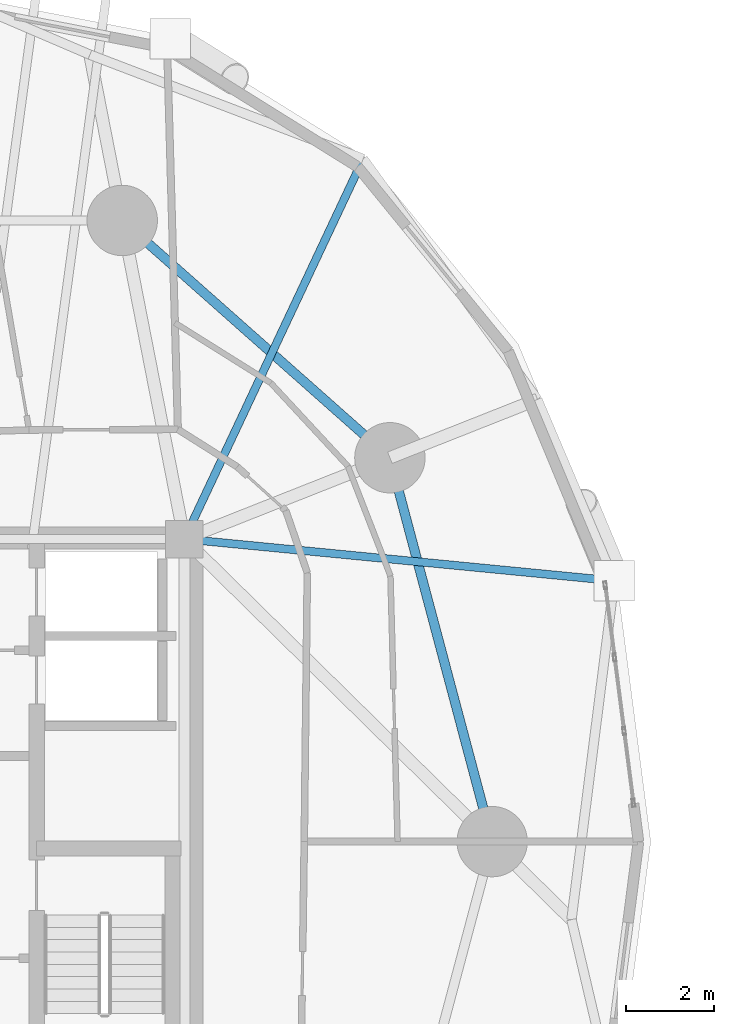
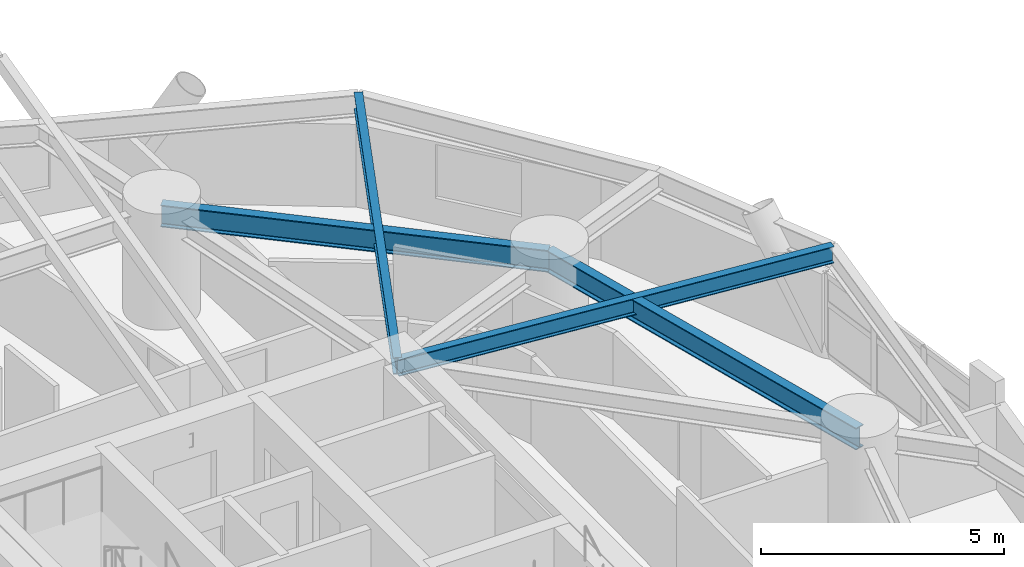
# One storey, part 3 of 20: 4 beams.
"""IFC4 building model written with IfcOpenShell, lengths in metres."""

from ifc_helpers import new_model, si_unit, direction, frame, origin, origin_2d, place, context, subcontext, project, spatial, i_section, extrude, material, material_profile, profile_set, type_object, element, save


model = new_model("IFC4")

# Units and contexts
model_context = context("Model", 3, precision=1e-05, world=origin(), true_north=direction((0.0, 1.0)))
body_context = subcontext(model_context, "Body", "Model", "MODEL_VIEW")
ifc_project = project(units=[si_unit("LENGTHUNIT", "METRE"), si_unit("AREAUNIT", "SQUARE_METRE"), si_unit("VOLUMEUNIT", "CUBIC_METRE"), si_unit("PLANEANGLEUNIT", "RADIAN"), si_unit("MASSUNIT", "GRAM", prefix="KILO")], contexts=[model_context])

# Site, building, storey
site_placement = place(None, origin())
site = spatial("IfcSite", under=ifc_project, at=site_placement, CompositionType="ELEMENT")
building_placement = place(site_placement, origin())
building = spatial("IfcBuilding", under=site, at=building_placement, Name="Cununo Teusaquillo Station Towers", CompositionType="ELEMENT")
storey_placement = place(building_placement, frame((0.0, 0.0, 39.4599609375)))
storey = spatial("IfcBuildingStorey", under=building, at=storey_placement, Name="L11", CompositionType="ELEMENT", Elevation=39.4599609375)

# Beams
ifc_material_1 = material(Name="Steel ASTM A572 Grade 50", Category="steel")
ifc_material_profile_1 = material_profile(ifc_material_1, i_section(OverallWidth=0.180908203125, OverallDepth=0.4169921875, WebThickness=0.010986328125, FlangeThickness=0.018310546875, FilletRadius=0.012939453125, at=origin_2d()), Name="W16X57")
ifc_profile_set_1 = profile_set([ifc_material_profile_1], Name="Steel ASTM A572 Grade 50")
beam_type_1 = type_object("IfcBeamType", Name="BM-JOIST-1", PredefinedType="JOIST", material=ifc_profile_set_1)
beam_1_placement = place(storey_placement, frame((21.675048828125, 31.3798828125, 2.441650390625), z_axis=(0.995310719276, -0.096729375545, 0.0), x_axis=(0.096729375545, 0.995310719276, 0.0)))
element("IfcBeam", 1, at=beam_1_placement, inside=storey, type_object=beam_type_1, Name="L11 Tower A Radial Spandrel Joist V01", PredefinedType="JOIST", context=body_context, shape_type="SweptSolid", body=[
    extrude(i_section(OverallWidth=0.180908203125, OverallDepth=0.4169921875, WebThickness=0.010986328125, FlangeThickness=0.018310546875, FilletRadius=0.012939453125, at=origin_2d()), origin(), (0.0, 0.0, 1.0), 9.82080078125),
])
beam_2_placement = place(storey_placement, frame((21.675048828125, 31.3798828125, 2.441650390625), z_axis=(0.425472080871, 0.904971551155, 0.0), x_axis=(-0.904971551155, 0.425472080871, 0.0)))
element("IfcBeam", 2, at=beam_2_placement, inside=storey, type_object=beam_type_1, Name="L11 Tower A Radial Spandrel Joist V03", PredefinedType="JOIST", context=body_context, shape_type="SweptSolid", body=[
    extrude(i_section(OverallWidth=0.180908203125, OverallDepth=0.4169921875, WebThickness=0.010986328125, FlangeThickness=0.018310546875, FilletRadius=0.012939453125, at=origin_2d()), origin(), (0.0, 0.0, 1.0), 9.552734375),
])
ifc_material_2 = material(Name="Steel ASTM A572 Grade 50", Category="steel")
ifc_material_profile_2 = material_profile(ifc_material_2, i_section(OverallWidth=0.214111328125, OverallDepth=0.549072265625, WebThickness=0.0146484375, FlangeThickness=0.023681640625, FilletRadius=0.014892578125, at=origin_2d()), Name="W21X93")
ifc_profile_set_2 = profile_set([ifc_material_profile_2], Name="Steel ASTM A572 Grade 50")
beam_type_2 = type_object("IfcBeamType", Name="BM-RING-Z1", PredefinedType="SPANDREL", material=ifc_profile_set_2)
beam_3_placement = place(storey_placement, frame((28.672119140625, 24.5, 2.37548828125), z_axis=(-0.257363196347, 0.966314744359, 0.0), x_axis=(-0.966314744359, -0.257363196347, 0.0)))
element("IfcBeam", 3, at=beam_3_placement, inside=storey, type_object=beam_type_2, Name="L11 Tower A Structural Column Ring Girder 01", PredefinedType="SPANDREL", context=body_context, shape_type="SweptSolid", body=[
    extrude(i_section(OverallWidth=0.214111328125, OverallDepth=0.549072265625, WebThickness=0.0146484375, FlangeThickness=0.023681640625, FilletRadius=0.014892578125, at=origin_2d()), origin(), (0.0, 0.0, 1.0), 9.03271484375),
])
beam_4_placement = place(storey_placement, frame((26.347412109375, 33.228515625, 2.37548828125), z_axis=(-0.74832120039, 0.66333655187, 0.0), x_axis=(-0.66333655187, -0.74832120039, 0.0)))
element("IfcBeam", 4, at=beam_4_placement, inside=storey, type_object=beam_type_2, Name="L11 Tower A Structural Column Ring Girder 02", PredefinedType="SPANDREL", context=body_context, shape_type="SweptSolid", body=[
    extrude(i_section(OverallWidth=0.214111328125, OverallDepth=0.549072265625, WebThickness=0.0146484375, FlangeThickness=0.023681640625, FilletRadius=0.014892578125, at=origin_2d()), origin(), (0.0, 0.0, 1.0), 8.1328125),
])

save(model, "model.ifc")
